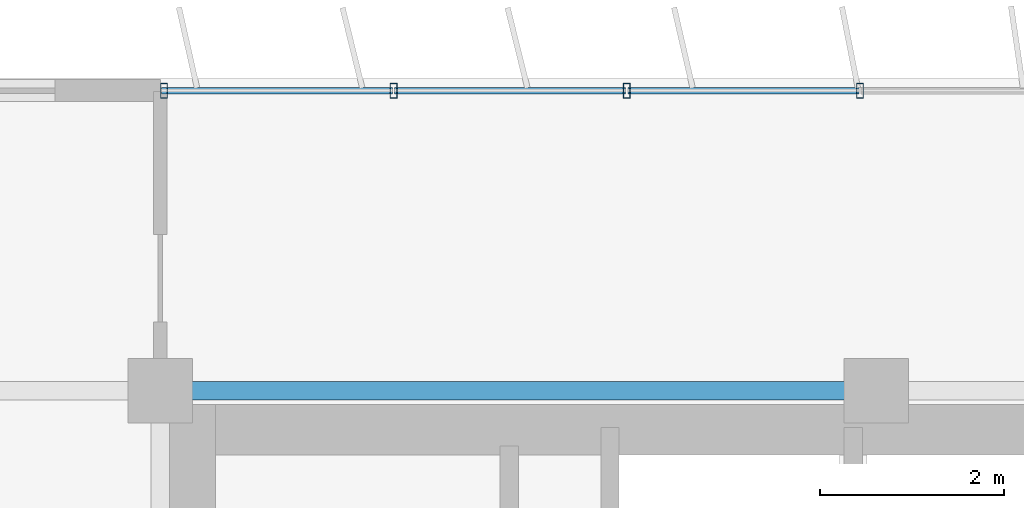
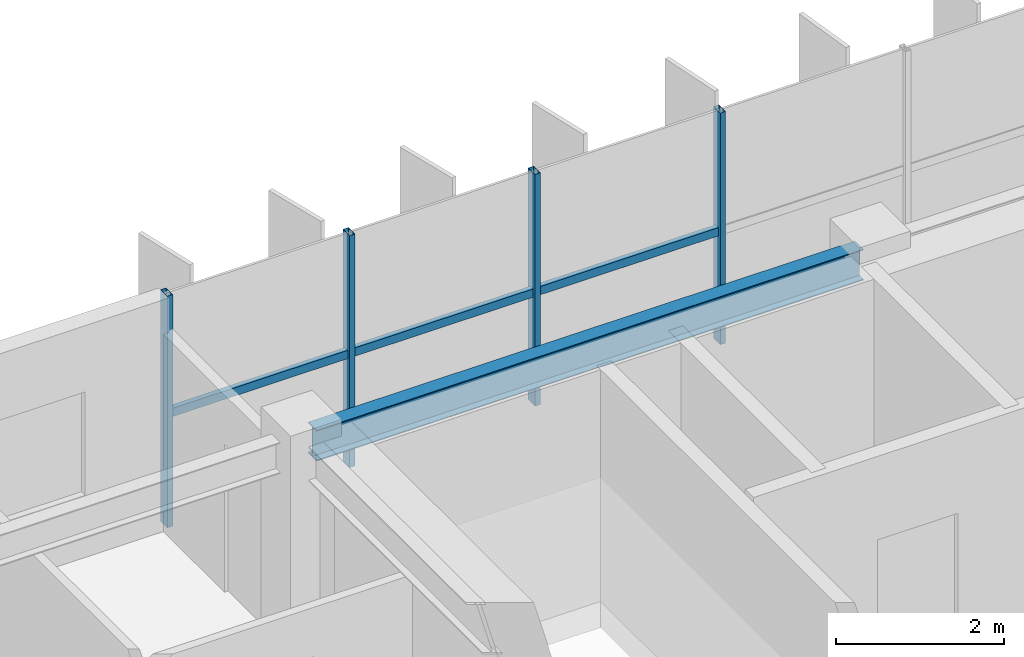
# One storey, part 6 of 23: 7 members, 1 beam, 1 element without a shape of its own.
"""IFC4 building model written with IfcOpenShell, lengths in metres."""

from ifc_helpers import new_model, si_unit, direction, frame, origin, origin_2d, place, context, subcontext, project, spatial, hollow_rectangle, i_section, extrude, source, transform, mapped, material, material_profile, profile_set, type_object, element, aggregate, save


model = new_model("IFC4")

# Units and contexts
model_context = context("Model", 3, precision=1e-05, world=origin(), true_north=direction((0.0, 1.0)))
body_context = subcontext(model_context, "Body", "Model", "MODEL_VIEW")
ifc_project = project(units=[si_unit("LENGTHUNIT", "METRE"), si_unit("AREAUNIT", "SQUARE_METRE"), si_unit("VOLUMEUNIT", "CUBIC_METRE"), si_unit("PLANEANGLEUNIT", "RADIAN"), si_unit("MASSUNIT", "GRAM", prefix="KILO")], contexts=[model_context])

# Site, building, storey
site_placement = place(None, origin())
site = spatial("IfcSite", under=ifc_project, at=site_placement, CompositionType="ELEMENT")
building_placement = place(site_placement, origin())
building = spatial("IfcBuilding", under=site, at=building_placement, Name="Trelvane Seafront Commons", CompositionType="ELEMENT")
storey_placement = place(building_placement, frame((0.0, 0.0, 204.89990234375)))
storey = spatial("IfcBuildingStorey", under=building, at=storey_placement, Name="L53", CompositionType="ELEMENT", Elevation=204.89990234375)

# Beam
ifc_material_1 = material(Name="Steel SM355 (S355)", Category="steel")
ifc_material_profile_1 = material_profile(ifc_material_1, i_section(OverallWidth=0.199951171875, OverallDepth=0.449951171875, WebThickness=0.009033203125, FlangeThickness=0.013916015625, at=origin_2d()), Name="H-450x200x9x14")
ifc_profile_set_1 = profile_set([ifc_material_profile_1], Name="Steel SM355 (S355)")
beam_type = type_object("IfcBeamType", Name="STR-SPD-H450", PredefinedType="SPANDREL", material=ifc_profile_set_1)
shared_shape_1 = source(origin(), body_context, "Body", "SweptSolid", [
    extrude(i_section(OverallWidth=0.199951171875, OverallDepth=0.449951171875, WebThickness=0.009033203125, FlangeThickness=0.013916015625, at=origin_2d()), origin(), (0.0, 0.0, 1.0), 7.5),
])
beam_placement = place(storey_placement, frame((15.75, 45.10009765625, 3.135009765625), z_axis=(1.0, 0.0, 0.0), x_axis=(0.0, 1.0, 0.0)))
element("IfcBeam", 1, at=beam_placement, inside=storey, type_object=beam_type, Name="L53 Primary Girder G-23", PredefinedType="SPANDREL", context=body_context, shape_type="MappedRepresentation", body=[
    mapped(shared_shape_1, transform((0.0, 0.0, 0.0), x_axis=(1.0, 0.0, 0.0), y_axis=(0.0, 1.0, 0.0), z_axis=(0.0, 0.0, 1.0), scale=1.0)),
])

# Curtain wall, members
ifc_material_2 = material(Name="Anodised pale-silver aluminium", Category="aluminium")
curtain_wall_type = type_object("IfcCurtainWallType", Name="ARCH-CW5-UPTOWER", PredefinedType="NOTDEFINED", material=ifc_material_2)
curtain_wall_placement = place(storey_placement, origin())
curtain_wall = element("IfcCurtainWall", 2, at=curtain_wall_placement, inside=storey, type_object=curtain_wall_type, Name="CW-L53-0096", PredefinedType="NOTDEFINED")
ifc_material_profile_2 = material_profile(ifc_material_2, hollow_rectangle(XDim=0.070068359375, YDim=0.1201171875, WallThickness=0.00390625, at=origin_2d()), Name="TRAN-70x120x4")
ifc_profile_set_2 = profile_set([ifc_material_profile_2], Name="Anodised pale-silver aluminium")
member_type_1 = type_object("IfcMemberType", Name="ARCH-CW-TRAN-120", PredefinedType="USERDEFINED", material=ifc_profile_set_2)
shared_shape_2 = source(origin(), body_context, "Body", "SweptSolid", [
    extrude(hollow_rectangle(XDim=0.070068359375, YDim=0.1201171875, WallThickness=0.00390625, at=origin_2d()), origin(), (0.0, 0.0, 1.0), 2.51708984375),
])
member_1_placement = place(storey_placement, frame((15.612060546875, 48.3701171875, 1.613037109375), z_axis=(1.0, 0.0, 0.0), x_axis=(0.0, 1.0, 0.0)))
member_1 = element("IfcMember", 3, at=member_1_placement, type_object=member_type_1, Name="CW-L53-0096-T00", ObjectType="TRANSOM", PredefinedType="USERDEFINED", context=body_context, shape_type="MappedRepresentation", body=[
    mapped(shared_shape_2, transform((0.0, 0.0, 0.0), x_axis=(1.0, 0.0, 0.0), y_axis=(0.0, 1.0, 0.0), z_axis=(0.0, 0.0, 1.0), scale=1.0)),
])
member_2_placement = place(storey_placement, frame((18.1533203125, 48.3701171875, 1.613037109375), z_axis=(1.0, 0.0, 0.0), x_axis=(0.0, 1.0, 0.0)))
member_2 = element("IfcMember", 4, at=member_2_placement, type_object=member_type_1, Name="CW-L53-0096-T01", ObjectType="TRANSOM", PredefinedType="USERDEFINED", context=body_context, shape_type="MappedRepresentation", body=[
    mapped(shared_shape_2, transform((0.0, 0.0, 0.0), x_axis=(1.0, 0.0, 0.0), y_axis=(0.0, 1.0, 0.0), z_axis=(0.0, 0.0, 1.0), scale=1.0)),
])
member_3_placement = place(storey_placement, frame((20.6943359375, 48.3701171875, 1.613037109375), z_axis=(1.0, 0.0, 0.0), x_axis=(0.0, 1.0, 0.0)))
member_3 = element("IfcMember", 5, at=member_3_placement, type_object=member_type_1, Name="CW-L53-0096-T02", ObjectType="TRANSOM", PredefinedType="USERDEFINED", context=body_context, shape_type="MappedRepresentation", body=[
    mapped(shared_shape_2, transform((0.0, 0.0, 0.0), x_axis=(1.0, 0.0, 0.0), y_axis=(0.0, 1.0, 0.0), z_axis=(0.0, 0.0, 1.0), scale=1.0)),
])
ifc_material_profile_3 = material_profile(ifc_material_2, hollow_rectangle(XDim=0.074951171875, YDim=0.159912109375, WallThickness=0.00390625, at=origin_2d()), Name="MULL-75x160x4")
ifc_profile_set_3 = profile_set([ifc_material_profile_3], Name="Anodised pale-silver aluminium")
member_type_2 = type_object("IfcMemberType", Name="ARCH-CW-MULL-160", PredefinedType="MULLION", material=ifc_profile_set_3)
shared_shape_3 = source(origin(), body_context, "Body", "SweptSolid", [
    extrude(hollow_rectangle(XDim=0.074951171875, YDim=0.159912109375, WallThickness=0.00390625, at=origin_2d()), origin(), (0.0, 0.0, 1.0), 3.360107421875),
])
member_4_placement = place(storey_placement, frame((15.639892578125, 48.3701171875, 0.0), z_axis=(0.0, 0.0, 1.0), x_axis=(1.0, 0.0, 0.0)))
member_4 = element("IfcMember", 6, at=member_4_placement, type_object=member_type_2, Name="CW-L53-0096-M00", PredefinedType="MULLION", context=body_context, shape_type="MappedRepresentation", body=[
    mapped(shared_shape_3, transform((0.0, 0.0, 0.0), x_axis=(1.0, 0.0, 0.0), y_axis=(0.0, 1.0, 0.0), z_axis=(0.0, 0.0, 1.0), scale=1.0)),
])
member_5_placement = place(storey_placement, frame((18.14111328125, 48.3701171875, 0.0), z_axis=(0.0, 0.0, 1.0), x_axis=(1.0, 0.0, 0.0)))
member_5 = element("IfcMember", 7, at=member_5_placement, type_object=member_type_2, Name="CW-L53-0096-M01", PredefinedType="MULLION", context=body_context, shape_type="MappedRepresentation", body=[
    mapped(shared_shape_3, transform((0.0, 0.0, 0.0), x_axis=(1.0, 0.0, 0.0), y_axis=(0.0, 1.0, 0.0), z_axis=(0.0, 0.0, 1.0), scale=1.0)),
])
member_6_placement = place(storey_placement, frame((20.682373046875, 48.3701171875, 0.0), z_axis=(0.0, 0.0, 1.0), x_axis=(1.0, 0.0, 0.0)))
member_6 = element("IfcMember", 8, at=member_6_placement, type_object=member_type_2, Name="CW-L53-0096-M02", PredefinedType="MULLION", context=body_context, shape_type="MappedRepresentation", body=[
    mapped(shared_shape_3, transform((0.0, 0.0, 0.0), x_axis=(1.0, 0.0, 0.0), y_axis=(0.0, 1.0, 0.0), z_axis=(0.0, 0.0, 1.0), scale=1.0)),
])
member_7_placement = place(storey_placement, frame((23.223388671875, 48.3701171875, 0.0), z_axis=(0.0, 0.0, 1.0), x_axis=(1.0, 0.0, 0.0)))
member_7 = element("IfcMember", 9, at=member_7_placement, type_object=member_type_2, Name="CW-L53-0096-M03", PredefinedType="MULLION", context=body_context, shape_type="MappedRepresentation", body=[
    mapped(shared_shape_3, transform((0.0, 0.0, 0.0), x_axis=(1.0, 0.0, 0.0), y_axis=(0.0, 1.0, 0.0), z_axis=(0.0, 0.0, 1.0), scale=1.0)),
])
aggregate(curtain_wall, [member_4, member_5, member_6, member_7, member_1, member_2, member_3])

save(model, "model.ifc")
